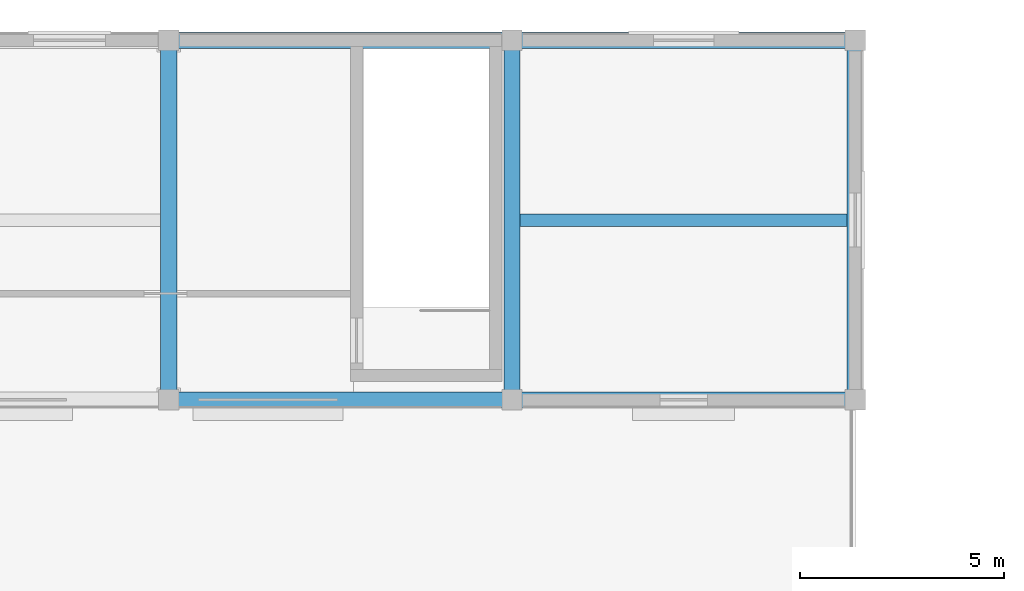
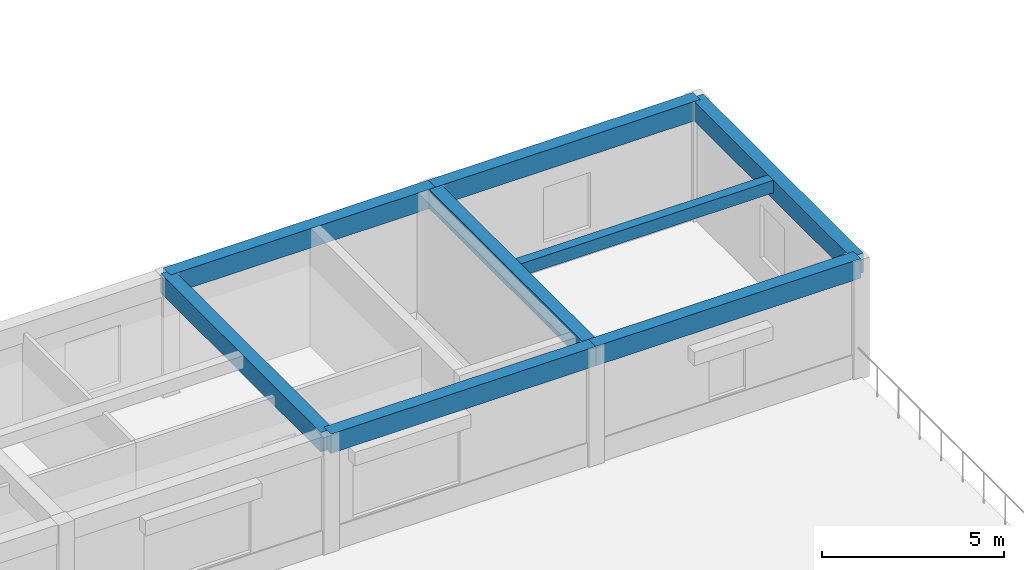
# One storey, part 24 of 49: 8 beams.
"""IFC4 building model written with IfcOpenShell, lengths in metres."""

from ifc_helpers import new_model, si_unit, direction, frame, origin, origin_2d, place, context, subcontext, project, spatial, rectangle, extrude, material, material_profile, profile_set, type_object, element, save


model = new_model("IFC4")

# Units and contexts
model_context = context("Model", 3, precision=1e-05, world=origin(), true_north=direction((0.0, 1.0)))
body_context = subcontext(model_context, "Body", "Model", "MODEL_VIEW")
ifc_project = project(units=[si_unit("LENGTHUNIT", "METRE"), si_unit("AREAUNIT", "SQUARE_METRE"), si_unit("VOLUMEUNIT", "CUBIC_METRE"), si_unit("PLANEANGLEUNIT", "RADIAN"), si_unit("MASSUNIT", "GRAM", prefix="KILO")], contexts=[model_context])

# Site, building, storey
site_placement = place(None, origin())
site = spatial("IfcSite", under=ifc_project, at=site_placement, CompositionType="ELEMENT")
building_placement = place(site_placement, origin())
building = spatial("IfcBuilding", under=site, at=building_placement, Name="Kemercrest Conservatory and Botanical Centre", CompositionType="ELEMENT")
storey_placement = place(building_placement, frame((0.0, 0.0, 13.199951171875)))
storey = spatial("IfcBuildingStorey", under=building, at=storey_placement, Name="L03", CompositionType="ELEMENT", Elevation=13.199951171875)

# Beams
ifc_material = material(Name="Concrete C40/50", Category="concrete")
ifc_material_profile_1 = material_profile(ifc_material, rectangle(XDim=0.39990234375, YDim=0.64990234375, at=origin_2d()), Name="RC 400x650")
ifc_profile_set_1 = profile_set([ifc_material_profile_1], Name="Concrete C40/50")
beam_type_1 = type_object("IfcBeamType", Name="BM-RC65", PredefinedType="BEAM", material=ifc_profile_set_1)
for number, where, z_axis, x_axis, name in (
    (1, (75.199951171875, 113.60009765625, 3.675048828125), (0.0, 1.0, 0.0), (-1.0, 0.0, 0.0), "V3-PAVRF beam BM-RC65 09/N-P"),
    (2, (83.60009765625, 113.60009765625, 3.675048828125), (0.0, 1.0, 0.0), (-1.0, 0.0, 0.0), "V3-PAVRF beam BM-RC65 10/N-P"),
):
    element("IfcBeam", number, at=place(storey_placement, frame(where, z_axis=z_axis, x_axis=x_axis)), inside=storey, type_object=beam_type_1, Name=name, PredefinedType="BEAM", context=body_context, shape_type="SweptSolid", body=[
        extrude(rectangle(XDim=0.39990234375, YDim=0.64990234375, at=origin_2d()), origin(), (0.0, 0.0, 1.0), 8.7998046875),
    ])
ifc_material_profile_2 = material_profile(ifc_material, rectangle(XDim=0.300048828125, YDim=0.419921875, at=origin_2d()), Name="RC 300x420")
ifc_profile_set_2 = profile_set([ifc_material_profile_2], Name="Concrete C40/50")
beam_type_2 = type_object("IfcBeamType", Name="JS-RC42", PredefinedType="JOIST", material=ifc_profile_set_2)
beam_1_placement = place(storey_placement, frame((83.800048828125, 118.0, 3.7900390625), z_axis=(1.0, 0.0, 0.0), x_axis=(0.0, 1.0, 0.0)))
element("IfcBeam", 3, at=beam_1_placement, inside=storey, type_object=beam_type_2, Name="V3-PAVRF secondary joist JS-RC42", PredefinedType="JOIST", context=body_context, shape_type="SweptSolid", body=[
    extrude(rectangle(XDim=0.300048828125, YDim=0.419921875, at=origin_2d()), origin(), (0.0, 0.0, 1.0), 8.0),
])
ifc_material_profile_3 = material_profile(ifc_material, rectangle(XDim=0.39990234375, YDim=0.64990234375, at=origin_2d()), Name="RC 400x650")
ifc_profile_set_3 = profile_set([ifc_material_profile_3], Name="Concrete C40/50")
beam_type_3 = type_object("IfcBeamType", Name="SP-RC65", PredefinedType="SPANDREL", material=ifc_profile_set_3)
beam_2_placement = place(storey_placement, frame((75.199951171875, 113.60009765625, 3.675048828125), z_axis=(1.0, 0.0, 0.0), x_axis=(0.0, 1.0, 0.0)))
element("IfcBeam", 4, at=beam_2_placement, inside=storey, type_object=beam_type_3, Name="V3-PAVRF beam SP-RC65 N/09-10", PredefinedType="SPANDREL", context=body_context, shape_type="SweptSolid", body=[
    extrude(rectangle(XDim=0.39990234375, YDim=0.64990234375, at=origin_2d()), origin(), (0.0, 0.0, 1.0), 8.400146484375),
])
beam_3_placement = place(storey_placement, frame((83.60009765625, 113.60009765625, 3.675048828125), z_axis=(1.0, 0.0, 0.0), x_axis=(0.0, 1.0, 0.0)))
element("IfcBeam", 5, at=beam_3_placement, inside=storey, type_object=beam_type_3, Name="V3-PAVRF beam SP-RC65 N/10-11", PredefinedType="SPANDREL", context=body_context, shape_type="SweptSolid", body=[
    extrude(rectangle(XDim=0.39990234375, YDim=0.64990234375, at=origin_2d()), origin(), (0.0, 0.0, 1.0), 8.39990234375),
])
beam_4_placement = place(storey_placement, frame((75.199951171875, 122.39990234375, 3.675048828125), z_axis=(1.0, 0.0, 0.0), x_axis=(0.0, 1.0, 0.0)))
element("IfcBeam", 6, at=beam_4_placement, inside=storey, type_object=beam_type_3, Name="V3-PAVRF beam SP-RC65 P/09-10", PredefinedType="SPANDREL", context=body_context, shape_type="SweptSolid", body=[
    extrude(rectangle(XDim=0.39990234375, YDim=0.64990234375, at=origin_2d()), origin(), (0.0, 0.0, 1.0), 8.400146484375),
])
beam_5_placement = place(storey_placement, frame((83.60009765625, 122.39990234375, 3.675048828125), z_axis=(1.0, 0.0, 0.0), x_axis=(0.0, 1.0, 0.0)))
element("IfcBeam", 7, at=beam_5_placement, inside=storey, type_object=beam_type_3, Name="V3-PAVRF beam SP-RC65 P/10-11", PredefinedType="SPANDREL", context=body_context, shape_type="SweptSolid", body=[
    extrude(rectangle(XDim=0.39990234375, YDim=0.64990234375, at=origin_2d()), origin(), (0.0, 0.0, 1.0), 8.39990234375),
])
beam_6_placement = place(storey_placement, frame((92.0, 113.60009765625, 3.675048828125), z_axis=(0.0, 1.0, 0.0), x_axis=(-1.0, 0.0, 0.0)))
element("IfcBeam", 8, at=beam_6_placement, inside=storey, type_object=beam_type_3, Name="V3-PAVRF beam SP-RC65 11/N-P", PredefinedType="SPANDREL", context=body_context, shape_type="SweptSolid", body=[
    extrude(rectangle(XDim=0.39990234375, YDim=0.64990234375, at=origin_2d()), origin(), (0.0, 0.0, 1.0), 8.7998046875),
])

save(model, "model.ifc")
